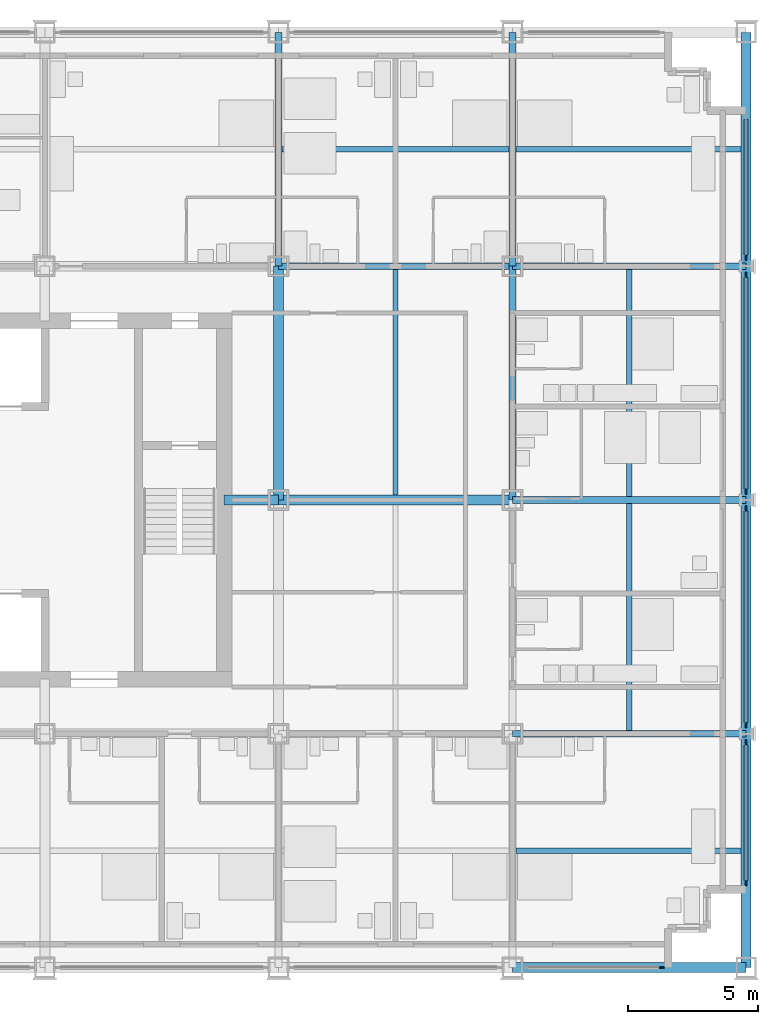
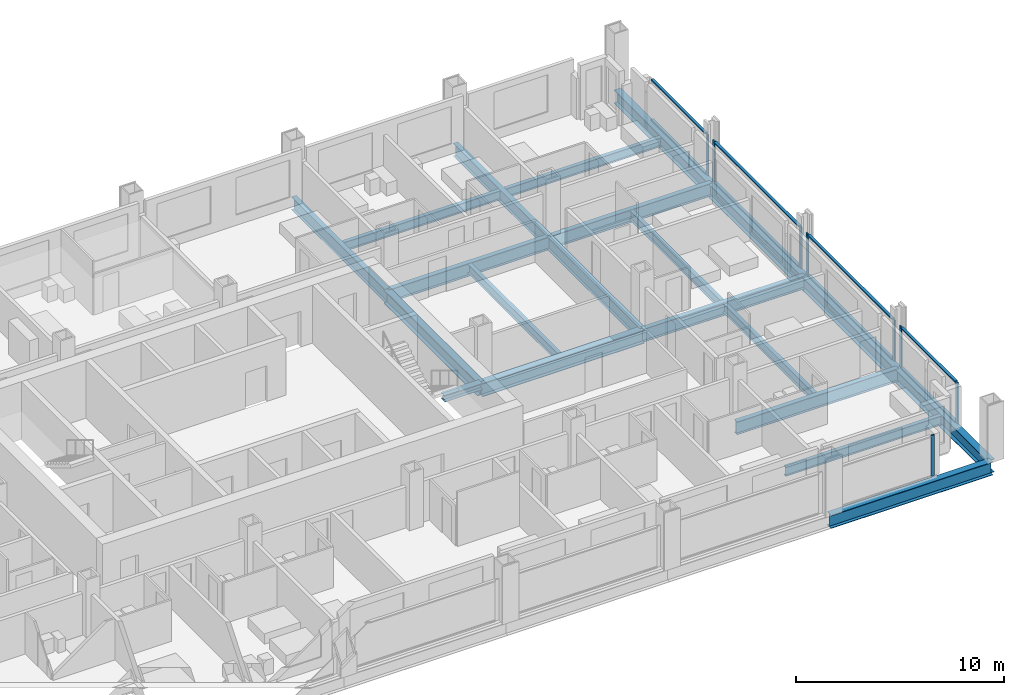
# One storey, part 6 of 18: 20 beams, 17 members, 5 elements without a shape of their own.
"""IFC4 building model written with IfcOpenShell, lengths in metres."""

from ifc_helpers import new_model, si_unit, direction, frame, origin, origin_2d, place, context, subcontext, project, spatial, rectangle, i_section, extrude, material, material_profile, profile_set, type_object, element, aggregate, save


model = new_model("IFC4")

# Units and contexts
model_context = context("Model", 3, precision=1e-05, world=origin(), true_north=direction((0.0, 1.0)))
body_context = subcontext(model_context, "Body", "Model", "MODEL_VIEW")
ifc_project = project(units=[si_unit("LENGTHUNIT", "METRE"), si_unit("AREAUNIT", "SQUARE_METRE"), si_unit("VOLUMEUNIT", "CUBIC_METRE"), si_unit("PLANEANGLEUNIT", "RADIAN"), si_unit("MASSUNIT", "GRAM", prefix="KILO")], contexts=[model_context])

# Site, building, storey
site_placement = place(None, origin())
site = spatial("IfcSite", under=ifc_project, at=site_placement, CompositionType="ELEMENT")
building_placement = place(site_placement, origin())
building = spatial("IfcBuilding", under=site, at=building_placement, Name="Loomwork Tower", CompositionType="ELEMENT")
storey_placement = place(building_placement, frame((0.0, 0.0, 82.39990234375)))
storey = spatial("IfcBuildingStorey", under=building, at=storey_placement, Name="L21", CompositionType="ELEMENT", Elevation=82.39990234375)

# Beams
ifc_material_1 = material(Name="Steel ASTM A992", Category="steel")
ifc_material_profile_1 = material_profile(ifc_material_1, i_section(OverallWidth=0.383544921875, OverallDepth=0.794921875, WebThickness=0.02099609375, FlangeThickness=0.0380859375, at=origin_2d()), Name="W30x235")
ifc_profile_set_1 = profile_set([ifc_material_profile_1], Name="Steel ASTM A992")
beam_type_1 = type_object("IfcBeamType", Name="CORE FLANK GIRDER W30x235", PredefinedType="BEAM", material=ifc_profile_set_1)
for number, where, z_axis, x_axis, name in (
    (1, (36.0, 18.0, -0.597412109375), (1.0, 0.0, 0.0), (0.0, 1.0, 0.0), "Core Flank Girder F/6-F/7 L21"),
    (2, (36.0, 18.0, -0.597412109375), (0.0, 1.0, 0.0), (-1.0, 0.0, 0.0), "Core Flank Girder F/6-G/6 L21"),
):
    element("IfcBeam", number, at=place(storey_placement, frame(where, z_axis=z_axis, x_axis=x_axis)), inside=storey, type_object=beam_type_1, Name=name, PredefinedType="BEAM", context=body_context, shape_type="SweptSolid", body=[
        extrude(i_section(OverallWidth=0.383544921875, OverallDepth=0.794921875, WebThickness=0.02099609375, FlangeThickness=0.0380859375, at=origin_2d()), origin(), (0.0, 0.0, 1.0), 9.0),
    ])

# Member
ifc_material_2 = material(Name="Steel ASTM A992", Category="steel")
ifc_material_profile_2 = material_profile(ifc_material_2, i_section(OverallWidth=0.373291015625, OverallDepth=0.373291015625, WebThickness=0.016357421875, FlangeThickness=0.026123046875, at=origin_2d()), Name="W14x132")
ifc_profile_set_2 = profile_set([ifc_material_profile_2], Name="Steel ASTM A992")
member_type_1 = type_object("IfcMemberType", Name="CORE LINK STRUT W14x132", PredefinedType="STRUT", material=ifc_profile_set_2)
member_1_placement = place(storey_placement, frame((36.0, 18.0, -0.386474609375), z_axis=(-1.0, 0.0, 0.0), x_axis=(0.0, -1.0, 0.0)))
element("IfcMember", 3, at=member_1_placement, inside=storey, type_object=member_type_1, Name="Core link strut F/6-33.900,18.000 L21", PredefinedType="STRUT", context=body_context, shape_type="SweptSolid", body=[
    extrude(i_section(OverallWidth=0.373291015625, OverallDepth=0.373291015625, WebThickness=0.016357421875, FlangeThickness=0.026123046875, at=origin_2d()), origin(), (0.0, 0.0, 1.0), 2.10009765625),
])

# Beams
ifc_material_3 = material(Name="Steel ASTM A992", Category="steel")
ifc_material_profile_3 = material_profile(ifc_material_3, i_section(OverallWidth=0.2666015625, OverallDepth=0.761962890625, WebThickness=0.014404296875, FlangeThickness=0.021484375, at=origin_2d()), Name="W30x116")
ifc_profile_set_3 = profile_set([ifc_material_profile_3], Name="Steel ASTM A992")
beam_type_2 = type_object("IfcBeamType", Name="FLOOR GIRDER W30x116", PredefinedType="BEAM", material=ifc_profile_set_3)
for number, where, z_axis, x_axis, name in (
    (4, (45.0, 9.0, -0.580810546875), (1.0, 0.0, 0.0), (0.0, 1.0, 0.0), "Floor Girder E/7-E/8 L21"),
    (5, (45.0, 18.0, -0.580810546875), (1.0, 0.0, 0.0), (0.0, 1.0, 0.0), "Floor Girder F/7-F/8 L21"),
    (6, (36.0, 27.0, -0.580810546875), (1.0, 0.0, 0.0), (0.0, 1.0, 0.0), "Floor Girder G/6-G/7 L21"),
    (7, (45.0, 27.0, -0.580810546875), (1.0, 0.0, 0.0), (0.0, 1.0, 0.0), "Floor Girder G/7-G/8 L21"),
    (8, (36.0, 27.0, -0.580810546875), (0.0, 1.0, 0.0), (-1.0, 0.0, 0.0), "Floor Girder G/6-H/6 L21"),
    (9, (45.0, 18.0, -0.580810546875), (0.0, 1.0, 0.0), (-1.0, 0.0, 0.0), "Floor Girder F/7-G/7 L21"),
    (10, (45.0, 27.0, -0.580810546875), (0.0, 1.0, 0.0), (-1.0, 0.0, 0.0), "Floor Girder G/7-H/7 L21"),
):
    element("IfcBeam", number, at=place(storey_placement, frame(where, z_axis=z_axis, x_axis=x_axis)), inside=storey, type_object=beam_type_2, Name=name, PredefinedType="BEAM", context=body_context, shape_type="SweptSolid", body=[
        extrude(i_section(OverallWidth=0.2666015625, OverallDepth=0.761962890625, WebThickness=0.014404296875, FlangeThickness=0.021484375, at=origin_2d()), origin(), (0.0, 0.0, 1.0), 9.0),
    ])
ifc_material_4 = material(Name="Steel ASTM A992", Category="steel")
ifc_material_profile_4 = material_profile(ifc_material_4, i_section(OverallWidth=0.2109375, OverallDepth=0.53857421875, WebThickness=0.011474609375, FlangeThickness=0.018798828125, at=origin_2d()), Name="W21x73")
ifc_profile_set_4 = profile_set([ifc_material_profile_4], Name="Steel ASTM A992")
beam_type_3 = type_object("IfcBeamType", Name="FLOOR JOIST W21x73", PredefinedType="JOIST", material=ifc_profile_set_4)
beam_1_placement = place(storey_placement, frame((40.5, 18.19091796875, -0.46923828125), z_axis=(0.0, 1.0, 0.0), x_axis=(-1.0, 0.0, 0.0)))
element("IfcBeam", 11, at=beam_1_placement, inside=storey, type_object=beam_type_3, Name="Floor Joist 40.500,18.000-40.500,27.000 L21", PredefinedType="JOIST", context=body_context, shape_type="SweptSolid", body=[
    extrude(i_section(OverallWidth=0.2109375, OverallDepth=0.53857421875, WebThickness=0.011474609375, FlangeThickness=0.018798828125, at=origin_2d()), origin(), (0.0, 0.0, 1.0), 8.676025390625),
])
beam_2_placement = place(storey_placement, frame((36.133056640625, 31.5, -0.46923828125), z_axis=(1.0, 0.0, 0.0), x_axis=(0.0, 1.0, 0.0)))
element("IfcBeam", 12, at=beam_2_placement, inside=storey, type_object=beam_type_3, Name="Floor Joist 36.000,31.500-45.000,31.500 L21", PredefinedType="JOIST", context=body_context, shape_type="SweptSolid", body=[
    extrude(i_section(OverallWidth=0.2109375, OverallDepth=0.53857421875, WebThickness=0.011474609375, FlangeThickness=0.018798828125, at=origin_2d()), origin(), (0.0, 0.0, 1.0), 8.73388671875),
])
beam_3_placement = place(storey_placement, frame((45.133056640625, 4.5, -0.46923828125), z_axis=(1.0, 0.0, 0.0), x_axis=(0.0, 1.0, 0.0)))
element("IfcBeam", 13, at=beam_3_placement, inside=storey, type_object=beam_type_3, Name="Floor Joist 45.000,4.500-54.000,4.500 L21", PredefinedType="JOIST", context=body_context, shape_type="SweptSolid", body=[
    extrude(i_section(OverallWidth=0.2109375, OverallDepth=0.53857421875, WebThickness=0.011474609375, FlangeThickness=0.018798828125, at=origin_2d()), origin(), (0.0, 0.0, 1.0), 8.677001953125),
])
for number, where, z_axis, x_axis, name in (
    (14, (49.5, 9.133056640625, -0.46923828125), (0.0, 1.0, 0.0), (-1.0, 0.0, 0.0), "Floor Joist 49.500,9.000-49.500,18.000 L21"),
    (15, (49.5, 18.133056640625, -0.46923828125), (0.0, 1.0, 0.0), (-1.0, 0.0, 0.0), "Floor Joist 49.500,18.000-49.500,27.000 L21"),
):
    element("IfcBeam", number, at=place(storey_placement, frame(where, z_axis=z_axis, x_axis=x_axis)), inside=storey, type_object=beam_type_3, Name=name, PredefinedType="JOIST", context=body_context, shape_type="SweptSolid", body=[
        extrude(i_section(OverallWidth=0.2109375, OverallDepth=0.53857421875, WebThickness=0.011474609375, FlangeThickness=0.018798828125, at=origin_2d()), origin(), (0.0, 0.0, 1.0), 8.73388671875),
    ])
beam_4_placement = place(storey_placement, frame((45.133056640625, 31.5, -0.46923828125), z_axis=(1.0, 0.0, 0.0), x_axis=(0.0, 1.0, 0.0)))
element("IfcBeam", 16, at=beam_4_placement, inside=storey, type_object=beam_type_3, Name="Floor Joist 45.000,31.500-54.000,31.500 L21", PredefinedType="JOIST", context=body_context, shape_type="SweptSolid", body=[
    extrude(i_section(OverallWidth=0.2109375, OverallDepth=0.53857421875, WebThickness=0.011474609375, FlangeThickness=0.018798828125, at=origin_2d()), origin(), (0.0, 0.0, 1.0), 8.677001953125),
])

# Curtain wall, member
ifc_material_5 = material(Name="Aluminium curtain wall frame", Category="aluminium")
curtain_wall_type = type_object("IfcCurtainWallType", Name="Outer skin glazing hotel", PredefinedType="NOTDEFINED", material=ifc_material_5)
curtain_wall_1_placement = place(storey_placement, origin())
curtain_wall_1 = element("IfcCurtainWall", 17, at=curtain_wall_1_placement, inside=storey, type_object=curtain_wall_type, Name="Outer skin glazing hotel cw/S-45", PredefinedType="NOTDEFINED")
ifc_material_6 = material(Name="Aluminium curtain wall frame", Category="aluminium")
ifc_material_profile_5 = material_profile(ifc_material_6, rectangle(XDim=0.06494140625, YDim=0.199951171875, at=origin_2d()), Name="AL 65x200")
ifc_profile_set_5 = profile_set([ifc_material_profile_5], Name="Aluminium curtain wall frame")
member_type_2 = type_object("IfcMemberType", Name="Outer skin glazing hotel mullion", PredefinedType="MULLION", material=ifc_profile_set_5)
member_2_placement = place(storey_placement, frame((50.75, 0.0, 0.0), z_axis=(0.0, 0.0, 1.0), x_axis=(0.0, 1.0, 0.0)))
member_2 = element("IfcMember", 18, at=member_2_placement, type_object=member_type_2, Name="CW1 mullion 2", PredefinedType="MULLION", context=body_context, shape_type="SweptSolid", body=[
    extrude(rectangle(XDim=0.06494140625, YDim=0.199951171875, at=origin_2d()), origin(), (0.0, 0.0, 1.0), 2.42041015625),
])
aggregate(curtain_wall_1, [member_2])

# Curtain wall, members
curtain_wall_2_placement = place(storey_placement, origin())
curtain_wall_2 = element("IfcCurtainWall", 19, at=curtain_wall_2_placement, inside=storey, type_object=curtain_wall_type, Name="Outer skin glazing hotel cw/E-0", PredefinedType="NOTDEFINED")
member_3_placement = place(storey_placement, frame((54.0, 3.25, 0.0), z_axis=(0.0, 0.0, 1.0), x_axis=(-1.0, 0.0, 0.0)))
member_3 = element("IfcMember", 20, at=member_3_placement, type_object=member_type_2, Name="CW1 mullion 1", PredefinedType="MULLION", context=body_context, shape_type="SweptSolid", body=[
    extrude(rectangle(XDim=0.06494140625, YDim=0.199951171875, at=origin_2d()), origin(), (0.0, 0.0, 1.0), 2.42041015625),
])
member_4_placement = place(storey_placement, frame((54.0, 8.672607421875, 0.0), z_axis=(0.0, 0.0, 1.0), x_axis=(-1.0, 0.0, 0.0)))
member_4 = element("IfcMember", 21, at=member_4_placement, type_object=member_type_2, Name="CW1 mullion 2", PredefinedType="MULLION", context=body_context, shape_type="SweptSolid", body=[
    extrude(rectangle(XDim=0.06494140625, YDim=0.199951171875, at=origin_2d()), origin(), (0.0, 0.0, 1.0), 2.42041015625),
])

curtain_wall_3_placement = place(storey_placement, origin())
curtain_wall_3 = element("IfcCurtainWall", 22, at=curtain_wall_3_placement, inside=storey, type_object=curtain_wall_type, Name="Outer skin glazing hotel cw/E-9", PredefinedType="NOTDEFINED")
member_5_placement = place(storey_placement, frame((54.0, 9.327392578125, 0.0), z_axis=(0.0, 0.0, 1.0), x_axis=(-1.0, 0.0, 0.0)))
member_5 = element("IfcMember", 23, at=member_5_placement, type_object=member_type_2, Name="CW1 mullion 1", PredefinedType="MULLION", context=body_context, shape_type="SweptSolid", body=[
    extrude(rectangle(XDim=0.06494140625, YDim=0.199951171875, at=origin_2d()), origin(), (0.0, 0.0, 1.0), 2.42041015625),
])
member_6_placement = place(storey_placement, frame((54.0, 17.672607421875, 0.0), z_axis=(0.0, 0.0, 1.0), x_axis=(-1.0, 0.0, 0.0)))
member_6 = element("IfcMember", 24, at=member_6_placement, type_object=member_type_2, Name="CW1 mullion 2", PredefinedType="MULLION", context=body_context, shape_type="SweptSolid", body=[
    extrude(rectangle(XDim=0.06494140625, YDim=0.199951171875, at=origin_2d()), origin(), (0.0, 0.0, 1.0), 2.42041015625),
])

curtain_wall_4_placement = place(storey_placement, origin())
curtain_wall_4 = element("IfcCurtainWall", 25, at=curtain_wall_4_placement, inside=storey, type_object=curtain_wall_type, Name="Outer skin glazing hotel cw/E-18", PredefinedType="NOTDEFINED")
member_7_placement = place(storey_placement, frame((54.0, 18.327392578125, 0.0), z_axis=(0.0, 0.0, 1.0), x_axis=(-1.0, 0.0, 0.0)))
member_7 = element("IfcMember", 26, at=member_7_placement, type_object=member_type_2, Name="CW1 mullion 1", PredefinedType="MULLION", context=body_context, shape_type="SweptSolid", body=[
    extrude(rectangle(XDim=0.06494140625, YDim=0.199951171875, at=origin_2d()), origin(), (0.0, 0.0, 1.0), 2.42041015625),
])
member_8_placement = place(storey_placement, frame((54.0, 26.672607421875, 0.0), z_axis=(0.0, 0.0, 1.0), x_axis=(-1.0, 0.0, 0.0)))
member_8 = element("IfcMember", 27, at=member_8_placement, type_object=member_type_2, Name="CW1 mullion 2", PredefinedType="MULLION", context=body_context, shape_type="SweptSolid", body=[
    extrude(rectangle(XDim=0.06494140625, YDim=0.199951171875, at=origin_2d()), origin(), (0.0, 0.0, 1.0), 2.42041015625),
])

# Curtain wall, member
curtain_wall_5_placement = place(storey_placement, origin())
curtain_wall_5 = element("IfcCurtainWall", 28, at=curtain_wall_5_placement, inside=storey, type_object=curtain_wall_type, Name="Outer skin glazing hotel cw/E-27", PredefinedType="NOTDEFINED")
member_9_placement = place(storey_placement, frame((54.0, 27.327392578125, 0.0), z_axis=(0.0, 0.0, 1.0), x_axis=(-1.0, 0.0, 0.0)))
member_9 = element("IfcMember", 29, at=member_9_placement, type_object=member_type_2, Name="CW1 mullion 1", PredefinedType="MULLION", context=body_context, shape_type="SweptSolid", body=[
    extrude(rectangle(XDim=0.06494140625, YDim=0.199951171875, at=origin_2d()), origin(), (0.0, 0.0, 1.0), 2.42041015625),
])

# Member
ifc_material_7 = material(Name="Aluminium curtain wall frame", Category="aluminium")
ifc_material_profile_6 = material_profile(ifc_material_7, rectangle(XDim=0.14990234375, YDim=0.06494140625, at=origin_2d()), Name="AL 65x150")
ifc_profile_set_6 = profile_set([ifc_material_profile_6], Name="Aluminium curtain wall frame")
member_type_3 = type_object("IfcMemberType", Name="Outer skin glazing hotel transom", PredefinedType="USERDEFINED", material=ifc_profile_set_6)
member_10_placement = place(storey_placement, frame((54.0, 3.35009765625, 0.03271484375), z_axis=(0.0, 1.0, 0.0), x_axis=(-1.0, 0.0, 0.0)))
member_10 = element("IfcMember", 30, at=member_10_placement, type_object=member_type_3, Name="CW1 transom 1.1", ObjectType="TRANSOM", PredefinedType="USERDEFINED", context=body_context, shape_type="SweptSolid", body=[
    extrude(rectangle(XDim=0.14990234375, YDim=0.06494140625, at=origin_2d()), origin(), (0.0, 0.0, 1.0), 5.22265625),
])

member_11_placement = place(storey_placement, frame((54.0, 3.35009765625, 2.3876953125), z_axis=(0.0, 1.0, 0.0), x_axis=(-1.0, 0.0, 0.0)))
member_11 = element("IfcMember", 31, at=member_11_placement, type_object=member_type_3, Name="CW1 transom 1.2", ObjectType="TRANSOM", PredefinedType="USERDEFINED", context=body_context, shape_type="SweptSolid", body=[
    extrude(rectangle(XDim=0.14990234375, YDim=0.06494140625, at=origin_2d()), origin(), (0.0, 0.0, 1.0), 5.22265625),
])

aggregate(curtain_wall_2, [member_3, member_4, member_10, member_11])

member_12_placement = place(storey_placement, frame((54.0, 9.42724609375, 0.03271484375), z_axis=(0.0, 1.0, 0.0), x_axis=(-1.0, 0.0, 0.0)))
member_12 = element("IfcMember", 32, at=member_12_placement, type_object=member_type_3, Name="CW1 transom 1.1", ObjectType="TRANSOM", PredefinedType="USERDEFINED", context=body_context, shape_type="SweptSolid", body=[
    extrude(rectangle(XDim=0.14990234375, YDim=0.06494140625, at=origin_2d()), origin(), (0.0, 0.0, 1.0), 8.1455078125),
])

member_13_placement = place(storey_placement, frame((54.0, 9.42724609375, 2.3876953125), z_axis=(0.0, 1.0, 0.0), x_axis=(-1.0, 0.0, 0.0)))
member_13 = element("IfcMember", 33, at=member_13_placement, type_object=member_type_3, Name="CW1 transom 1.2", ObjectType="TRANSOM", PredefinedType="USERDEFINED", context=body_context, shape_type="SweptSolid", body=[
    extrude(rectangle(XDim=0.14990234375, YDim=0.06494140625, at=origin_2d()), origin(), (0.0, 0.0, 1.0), 8.1455078125),
])

aggregate(curtain_wall_3, [member_5, member_6, member_12, member_13])

member_14_placement = place(storey_placement, frame((54.0, 18.42724609375, 0.03271484375), z_axis=(0.0, 1.0, 0.0), x_axis=(-1.0, 0.0, 0.0)))
member_14 = element("IfcMember", 34, at=member_14_placement, type_object=member_type_3, Name="CW1 transom 1.1", ObjectType="TRANSOM", PredefinedType="USERDEFINED", context=body_context, shape_type="SweptSolid", body=[
    extrude(rectangle(XDim=0.14990234375, YDim=0.06494140625, at=origin_2d()), origin(), (0.0, 0.0, 1.0), 8.1455078125),
])

member_15_placement = place(storey_placement, frame((54.0, 18.42724609375, 2.3876953125), z_axis=(0.0, 1.0, 0.0), x_axis=(-1.0, 0.0, 0.0)))
member_15 = element("IfcMember", 35, at=member_15_placement, type_object=member_type_3, Name="CW1 transom 1.2", ObjectType="TRANSOM", PredefinedType="USERDEFINED", context=body_context, shape_type="SweptSolid", body=[
    extrude(rectangle(XDim=0.14990234375, YDim=0.06494140625, at=origin_2d()), origin(), (0.0, 0.0, 1.0), 8.1455078125),
])

aggregate(curtain_wall_4, [member_7, member_8, member_14, member_15])

member_16_placement = place(storey_placement, frame((54.0, 27.42724609375, 0.03271484375), z_axis=(0.0, 1.0, 0.0), x_axis=(-1.0, 0.0, 0.0)))
member_16 = element("IfcMember", 36, at=member_16_placement, type_object=member_type_3, Name="CW1 transom 1.1", ObjectType="TRANSOM", PredefinedType="USERDEFINED", context=body_context, shape_type="SweptSolid", body=[
    extrude(rectangle(XDim=0.14990234375, YDim=0.06494140625, at=origin_2d()), origin(), (0.0, 0.0, 1.0), 5.22265625),
])

member_17_placement = place(storey_placement, frame((54.0, 27.42724609375, 2.3876953125), z_axis=(0.0, 1.0, 0.0), x_axis=(-1.0, 0.0, 0.0)))
member_17 = element("IfcMember", 37, at=member_17_placement, type_object=member_type_3, Name="CW1 transom 1.2", ObjectType="TRANSOM", PredefinedType="USERDEFINED", context=body_context, shape_type="SweptSolid", body=[
    extrude(rectangle(XDim=0.14990234375, YDim=0.06494140625, at=origin_2d()), origin(), (0.0, 0.0, 1.0), 5.22265625),
])

aggregate(curtain_wall_5, [member_9, member_16, member_17])

# Beams
ifc_material_8 = material(Name="Steel ASTM A992", Category="steel")
ifc_material_profile_7 = material_profile(ifc_material_8, i_section(OverallWidth=0.381103515625, OverallDepth=0.77978515625, WebThickness=0.01806640625, FlangeThickness=0.0302734375, at=origin_2d()), Name="W30x191")
ifc_profile_set_7 = profile_set([ifc_material_profile_7], Name="Steel ASTM A992")
beam_type_4 = type_object("IfcBeamType", Name="SPANDREL GIRDER W30x191", PredefinedType="SPANDREL", material=ifc_profile_set_7)
for number, where, z_axis, x_axis, name in (
    (38, (45.0, 0.0, -0.58984375), (1.0, 0.0, 0.0), (0.0, 1.0, 0.0), "Spandrel Girder D/7-D/8 L21"),
    (39, (54.0, 0.0, -0.58984375), (0.0, 1.0, 0.0), (-1.0, 0.0, 0.0), "Spandrel Girder D/8-E/8 L21"),
    (40, (54.0, 9.0, -0.58984375), (0.0, 1.0, 0.0), (-1.0, 0.0, 0.0), "Spandrel Girder E/8-F/8 L21"),
    (41, (54.0, 18.0, -0.58984375), (0.0, 1.0, 0.0), (-1.0, 0.0, 0.0), "Spandrel Girder F/8-G/8 L21"),
    (42, (54.0, 27.0, -0.58984375), (0.0, 1.0, 0.0), (-1.0, 0.0, 0.0), "Spandrel Girder G/8-H/8 L21"),
):
    element("IfcBeam", number, at=place(storey_placement, frame(where, z_axis=z_axis, x_axis=x_axis)), inside=storey, type_object=beam_type_4, Name=name, PredefinedType="SPANDREL", context=body_context, shape_type="SweptSolid", body=[
        extrude(i_section(OverallWidth=0.381103515625, OverallDepth=0.77978515625, WebThickness=0.01806640625, FlangeThickness=0.0302734375, at=origin_2d()), origin(), (0.0, 0.0, 1.0), 9.0),
    ])

save(model, "model.ifc")
